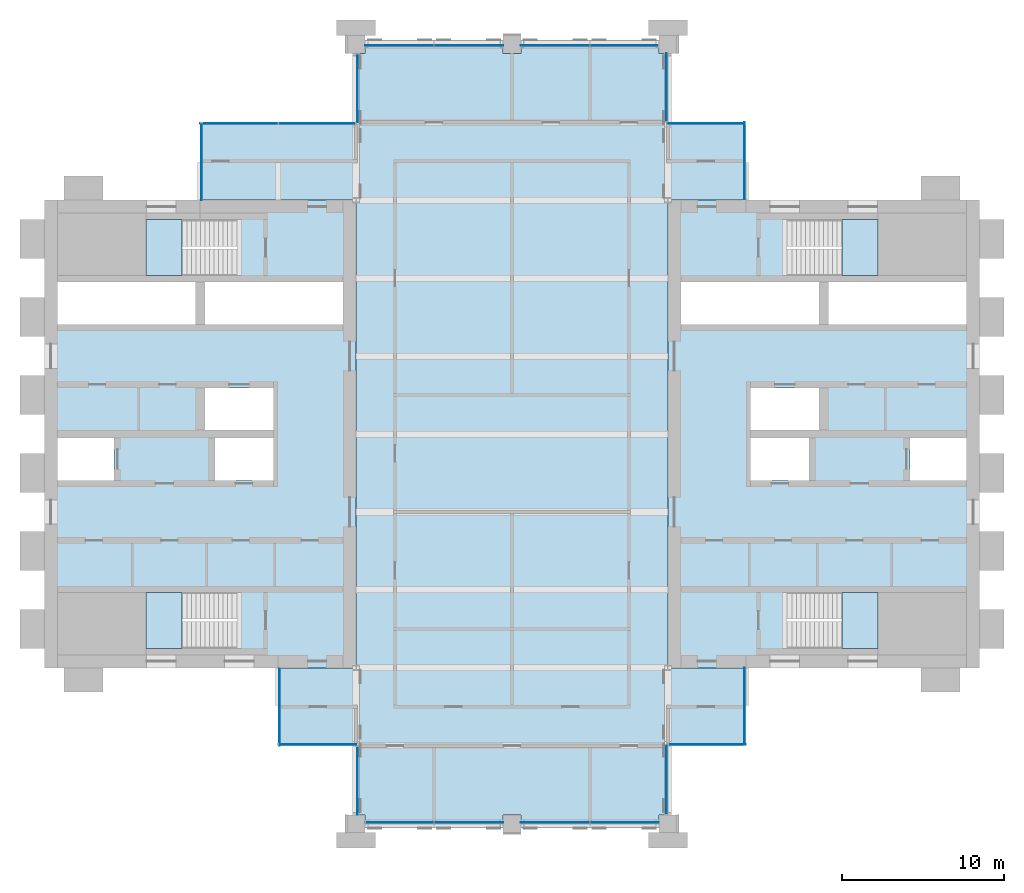
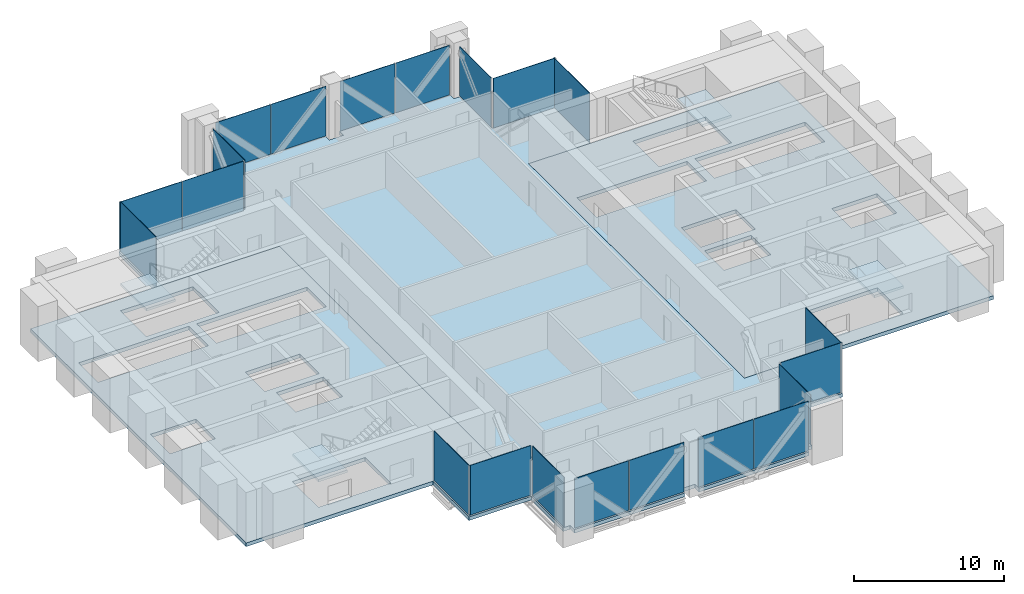
# One storey, part 7 of 13: 21 plates, 7 slabs, 18 elements without a shape of their own.
"""IFC4 building model written with IfcOpenShell, lengths in metres."""

from ifc_helpers import new_model, si_unit, direction, frame, origin, origin_2d, place, context, subcontext, project, spatial, polyline, rectangle, outline, extrude, material, layer, layer_set, type_object, element, aggregate, save


model = new_model("IFC4")

# Units and contexts
model_context = context("Model", 3, precision=1e-05, world=origin(), true_north=direction((0.0, 1.0)))
body_context = subcontext(model_context, "Body", "Model", "MODEL_VIEW")
ifc_project = project(units=[si_unit("LENGTHUNIT", "METRE"), si_unit("AREAUNIT", "SQUARE_METRE"), si_unit("VOLUMEUNIT", "CUBIC_METRE"), si_unit("PLANEANGLEUNIT", "RADIAN"), si_unit("MASSUNIT", "GRAM", prefix="KILO")], contexts=[model_context])

# Site, building, storey
site_placement = place(None, origin())
site = spatial("IfcSite", under=ifc_project, at=site_placement, CompositionType="ELEMENT")
building_placement = place(site_placement, origin())
building = spatial("IfcBuilding", under=site, at=building_placement, Name="Baori Bourse Tower", CompositionType="ELEMENT")
storey_placement = place(building_placement, frame((0.0, 0.0, 265.199951171875)))
storey = spatial("IfcBuildingStorey", under=building, at=storey_placement, Name="L59", CompositionType="ELEMENT", Elevation=265.199951171875)

# Curtain wall, plate
ifc_material_1 = material(Name="Pale anodised aluminium", Category="aluminium")
curtain_wall_type = type_object("IfcCurtainWallType", Name="CW3 Curtain wall", PredefinedType="NOTDEFINED", material=ifc_material_1)
curtain_wall_1_placement = place(storey_placement, origin())
curtain_wall_1 = element("IfcCurtainWall", 1, at=curtain_wall_1_placement, inside=storey, type_object=curtain_wall_type, Name="Curtain wall CW3 L59 1", PredefinedType="NOTDEFINED")
ifc_material_2 = material(Name="Pale anodised aluminium", Category="aluminium")
ifc_layer_1 = layer(ifc_material_2, 0.0400390625)
ifc_layer_set_1 = layer_set([ifc_layer_1], Name="CW3 Curtain wall panel")
plate_type = type_object("IfcPlateType", Name="CW3 Curtain wall panel", PredefinedType="CURTAIN_PANEL", material=ifc_layer_set_1)
plate_1_placement = place(storey_placement, frame((43.1201171875, 40.824951171875, 0.06005859375), z_axis=(0.0, 0.0, 1.0), x_axis=(0.0, 1.0, 0.0)))
plate_1 = element("IfcPlate", 2, at=plate_1_placement, type_object=plate_type, Name="Curtain wall CW3 louvre panel", PredefinedType="CURTAIN_PANEL", context=body_context, shape_type="SweptSolid", body=[
    extrude(rectangle(XDim=4.75, YDim=0.0400390625, at=origin_2d()), origin(), (0.0, 0.0, 1.0), 4.0400390625),
])
aggregate(curtain_wall_1, [plate_1])

curtain_wall_2_placement = place(storey_placement, origin())
curtain_wall_2 = element("IfcCurtainWall", 3, at=curtain_wall_2_placement, inside=storey, type_object=curtain_wall_type, Name="Curtain wall CW3 L59 2", PredefinedType="NOTDEFINED")
plate_2_placement = place(storey_placement, frame((40.77490234375, 43.1201171875, 0.06005859375), z_axis=(0.0, 0.0, 1.0), x_axis=(-1.0, 0.0, 0.0)))
plate_2 = element("IfcPlate", 4, at=plate_2_placement, type_object=plate_type, Name="Curtain wall CW3 louvre panel", PredefinedType="CURTAIN_PANEL", context=body_context, shape_type="SweptSolid", body=[
    extrude(rectangle(XDim=4.75, YDim=0.0400390625, at=origin_2d()), origin(), (0.0, 0.0, 1.0), 4.0400390625),
])
aggregate(curtain_wall_2, [plate_2])

curtain_wall_3_placement = place(storey_placement, origin())
curtain_wall_3 = element("IfcCurtainWall", 5, at=curtain_wall_3_placement, inside=storey, type_object=curtain_wall_type, Name="Curtain wall CW3 L59 3", PredefinedType="NOTDEFINED")
plate_3_placement = place(storey_placement, frame((38.320068359375, 45.35009765625, 0.06005859375), z_axis=(0.0, 0.0, 1.0), x_axis=(0.0, 1.0, 0.0)))
plate_3 = element("IfcPlate", 6, at=plate_3_placement, type_object=plate_type, Name="Curtain wall CW3 louvre panel", PredefinedType="CURTAIN_PANEL", context=body_context, shape_type="SweptSolid", body=[
    extrude(rectangle(XDim=4.199951171875, YDim=0.0400390625, at=origin_2d()), origin(), (0.0, 0.0, 1.0), 4.0400390625),
])
aggregate(curtain_wall_3, [plate_3])

# Curtain wall, plates
curtain_wall_4_placement = place(storey_placement, origin())
curtain_wall_4 = element("IfcCurtainWall", 7, at=curtain_wall_4_placement, inside=storey, type_object=curtain_wall_type, Name="Curtain wall CW3 L59 4", PredefinedType="NOTDEFINED")
plate_4_placement = place(storey_placement, frame((35.71240234375, 47.919921875, 0.06005859375), z_axis=(0.0, 0.0, 1.0), x_axis=(-1.0, 0.0, 0.0)))
plate_4 = element("IfcPlate", 8, at=plate_4_placement, type_object=plate_type, Name="Curtain wall CW3 louvre panel", PredefinedType="CURTAIN_PANEL", context=body_context, shape_type="SweptSolid", body=[
    extrude(rectangle(XDim=4.175048828125, YDim=0.0400390625, at=origin_2d()), origin(), (0.0, 0.0, 1.0), 4.0400390625),
])
plate_5_placement = place(storey_placement, frame((31.46240234375, 47.919921875, 0.06005859375), z_axis=(0.0, 0.0, 1.0), x_axis=(-1.0, 0.0, 0.0)))
plate_5 = element("IfcPlate", 9, at=plate_5_placement, type_object=plate_type, Name="Curtain wall CW3 louvre panel", PredefinedType="CURTAIN_PANEL", context=body_context, shape_type="SweptSolid", body=[
    extrude(rectangle(XDim=4.22509765625, YDim=0.0400390625, at=origin_2d()), origin(), (0.0, 0.0, 1.0), 4.0400390625),
])
plate_6_placement = place(storey_placement, frame((26.137451171875, 47.919921875, 0.06005859375), z_axis=(0.0, 0.0, 1.0), x_axis=(-1.0, 0.0, 0.0)))
plate_6 = element("IfcPlate", 10, at=plate_6_placement, type_object=plate_type, Name="Curtain wall CW3 louvre panel", PredefinedType="CURTAIN_PANEL", context=body_context, shape_type="SweptSolid", body=[
    extrude(rectangle(XDim=4.22509765625, YDim=0.0400390625, at=origin_2d()), origin(), (0.0, 0.0, 1.0), 4.0400390625),
])
plate_7_placement = place(storey_placement, frame((21.862548828125, 47.919921875, 0.06005859375), z_axis=(0.0, 0.0, 1.0), x_axis=(-1.0, 0.0, 0.0)))
plate_7 = element("IfcPlate", 11, at=plate_7_placement, type_object=plate_type, Name="Curtain wall CW3 louvre panel", PredefinedType="CURTAIN_PANEL", context=body_context, shape_type="SweptSolid", body=[
    extrude(rectangle(XDim=4.22509765625, YDim=0.0400390625, at=origin_2d()), origin(), (0.0, 0.0, 1.0), 4.0400390625),
])
aggregate(curtain_wall_4, [plate_4, plate_5, plate_6, plate_7])

# Curtain wall, plate
curtain_wall_5_placement = place(storey_placement, origin())
curtain_wall_5 = element("IfcCurtainWall", 12, at=curtain_wall_5_placement, inside=storey, type_object=curtain_wall_type, Name="Curtain wall CW3 L59 5", PredefinedType="NOTDEFINED")
plate_8_placement = place(storey_placement, frame((19.280029296875, 45.300048828125, 0.06005859375), z_axis=(0.0, 0.0, 1.0), x_axis=(0.0, -1.0, 0.0)))
plate_8 = element("IfcPlate", 13, at=plate_8_placement, type_object=plate_type, Name="Curtain wall CW3 louvre panel", PredefinedType="CURTAIN_PANEL", context=body_context, shape_type="SweptSolid", body=[
    extrude(rectangle(XDim=4.199951171875, YDim=0.0400390625, at=origin_2d()), origin(), (0.0, 0.0, 1.0), 4.0400390625),
])
aggregate(curtain_wall_5, [plate_8])

# Curtain wall, plates
curtain_wall_6_placement = place(storey_placement, origin())
curtain_wall_6 = element("IfcCurtainWall", 14, at=curtain_wall_6_placement, inside=storey, type_object=curtain_wall_type, Name="Curtain wall CW3 L59 6", PredefinedType="NOTDEFINED")
plate_9_placement = place(storey_placement, frame((16.78759765625, 43.1201171875, 0.06005859375), z_axis=(0.0, 0.0, 1.0), x_axis=(-1.0, 0.0, 0.0)))
plate_9 = element("IfcPlate", 15, at=plate_9_placement, type_object=plate_type, Name="Curtain wall CW3 louvre panel", PredefinedType="CURTAIN_PANEL", context=body_context, shape_type="SweptSolid", body=[
    extrude(rectangle(XDim=4.72509765625, YDim=0.0400390625, at=origin_2d()), origin(), (0.0, 0.0, 1.0), 4.0400390625),
])
plate_10_placement = place(storey_placement, frame((11.987548828125, 43.1201171875, 0.06005859375), z_axis=(0.0, 0.0, 1.0), x_axis=(-1.0, 0.0, 0.0)))
plate_10 = element("IfcPlate", 16, at=plate_10_placement, type_object=plate_type, Name="Curtain wall CW3 louvre panel", PredefinedType="CURTAIN_PANEL", context=body_context, shape_type="SweptSolid", body=[
    extrude(rectangle(XDim=4.77490234375, YDim=0.0400390625, at=origin_2d()), origin(), (0.0, 0.0, 1.0), 4.0400390625),
])
aggregate(curtain_wall_6, [plate_9, plate_10])

# Curtain wall, plate
curtain_wall_7_placement = place(storey_placement, origin())
curtain_wall_7 = element("IfcCurtainWall", 17, at=curtain_wall_7_placement, inside=storey, type_object=curtain_wall_type, Name="Curtain wall CW3 L59 7", PredefinedType="NOTDEFINED")
plate_11_placement = place(storey_placement, frame((9.679931640625, 40.77490234375, 0.06005859375), z_axis=(0.0, 0.0, 1.0), x_axis=(0.0, -1.0, 0.0)))
plate_11 = element("IfcPlate", 18, at=plate_11_placement, type_object=plate_type, Name="Curtain wall CW3 louvre panel", PredefinedType="CURTAIN_PANEL", context=body_context, shape_type="SweptSolid", body=[
    extrude(rectangle(XDim=4.75, YDim=0.0400390625, at=origin_2d()), origin(), (0.0, 0.0, 1.0), 4.0400390625),
])
aggregate(curtain_wall_7, [plate_11])

curtain_wall_8_placement = place(storey_placement, origin())
curtain_wall_8 = element("IfcCurtainWall", 19, at=curtain_wall_8_placement, inside=storey, type_object=curtain_wall_type, Name="Curtain wall CW3 L59 8", PredefinedType="NOTDEFINED")
plate_12_placement = place(storey_placement, frame((14.47998046875, 7.175048828125, 0.06005859375), z_axis=(0.0, 0.0, 1.0), x_axis=(0.0, -1.0, 0.0)))
plate_12 = element("IfcPlate", 20, at=plate_12_placement, type_object=plate_type, Name="Curtain wall CW3 louvre panel", PredefinedType="CURTAIN_PANEL", context=body_context, shape_type="SweptSolid", body=[
    extrude(rectangle(XDim=4.75, YDim=0.0400390625, at=origin_2d()), origin(), (0.0, 0.0, 1.0), 4.0400390625),
])
aggregate(curtain_wall_8, [plate_12])

curtain_wall_9_placement = place(storey_placement, origin())
curtain_wall_9 = element("IfcCurtainWall", 21, at=curtain_wall_9_placement, inside=storey, type_object=curtain_wall_type, Name="Curtain wall CW3 L59 9", PredefinedType="NOTDEFINED")
plate_13_placement = place(storey_placement, frame((16.824951171875, 4.8798828125, 0.06005859375), z_axis=(0.0, 0.0, 1.0), x_axis=(1.0, 0.0, 0.0)))
plate_13 = element("IfcPlate", 22, at=plate_13_placement, type_object=plate_type, Name="Curtain wall CW3 louvre panel", PredefinedType="CURTAIN_PANEL", context=body_context, shape_type="SweptSolid", body=[
    extrude(rectangle(XDim=4.75, YDim=0.0400390625, at=origin_2d()), origin(), (0.0, 0.0, 1.0), 4.0400390625),
])
aggregate(curtain_wall_9, [plate_13])

curtain_wall_10_placement = place(storey_placement, origin())
curtain_wall_10 = element("IfcCurtainWall", 23, at=curtain_wall_10_placement, inside=storey, type_object=curtain_wall_type, Name="Curtain wall CW3 L59 10", PredefinedType="NOTDEFINED")
plate_14_placement = place(storey_placement, frame((19.280029296875, 2.64990234375, 0.06005859375), z_axis=(0.0, 0.0, 1.0), x_axis=(0.0, -1.0, 0.0)))
plate_14 = element("IfcPlate", 24, at=plate_14_placement, type_object=plate_type, Name="Curtain wall CW3 louvre panel", PredefinedType="CURTAIN_PANEL", context=body_context, shape_type="SweptSolid", body=[
    extrude(rectangle(XDim=4.199951171875, YDim=0.0400390625, at=origin_2d()), origin(), (0.0, 0.0, 1.0), 4.0400390625),
])
aggregate(curtain_wall_10, [plate_14])

# Curtain wall, plates
curtain_wall_11_placement = place(storey_placement, origin())
curtain_wall_11 = element("IfcCurtainWall", 25, at=curtain_wall_11_placement, inside=storey, type_object=curtain_wall_type, Name="Curtain wall CW3 L59 11", PredefinedType="NOTDEFINED")
plate_15_placement = place(storey_placement, frame((21.887451171875, 0.080078125, 0.06005859375), z_axis=(0.0, 0.0, 1.0), x_axis=(1.0, 0.0, 0.0)))
plate_15 = element("IfcPlate", 26, at=plate_15_placement, type_object=plate_type, Name="Curtain wall CW3 louvre panel", PredefinedType="CURTAIN_PANEL", context=body_context, shape_type="SweptSolid", body=[
    extrude(rectangle(XDim=4.175048828125, YDim=0.0400390625, at=origin_2d()), origin(), (0.0, 0.0, 1.0), 4.0400390625),
])
plate_16_placement = place(storey_placement, frame((26.137451171875, 0.080078125, 0.06005859375), z_axis=(0.0, 0.0, 1.0), x_axis=(1.0, 0.0, 0.0)))
plate_16 = element("IfcPlate", 27, at=plate_16_placement, type_object=plate_type, Name="Curtain wall CW3 louvre panel", PredefinedType="CURTAIN_PANEL", context=body_context, shape_type="SweptSolid", body=[
    extrude(rectangle(XDim=4.22509765625, YDim=0.0400390625, at=origin_2d()), origin(), (0.0, 0.0, 1.0), 4.0400390625),
])
plate_17_placement = place(storey_placement, frame((31.46240234375, 0.080078125, 0.06005859375), z_axis=(0.0, 0.0, 1.0), x_axis=(1.0, 0.0, 0.0)))
plate_17 = element("IfcPlate", 28, at=plate_17_placement, type_object=plate_type, Name="Curtain wall CW3 louvre panel", PredefinedType="CURTAIN_PANEL", context=body_context, shape_type="SweptSolid", body=[
    extrude(rectangle(XDim=4.22509765625, YDim=0.0400390625, at=origin_2d()), origin(), (0.0, 0.0, 1.0), 4.0400390625),
])
plate_18_placement = place(storey_placement, frame((35.737548828125, 0.080078125, 0.06005859375), z_axis=(0.0, 0.0, 1.0), x_axis=(1.0, 0.0, 0.0)))
plate_18 = element("IfcPlate", 29, at=plate_18_placement, type_object=plate_type, Name="Curtain wall CW3 louvre panel", PredefinedType="CURTAIN_PANEL", context=body_context, shape_type="SweptSolid", body=[
    extrude(rectangle(XDim=4.22509765625, YDim=0.0400390625, at=origin_2d()), origin(), (0.0, 0.0, 1.0), 4.0400390625),
])
aggregate(curtain_wall_11, [plate_15, plate_16, plate_17, plate_18])

# Curtain wall, plate
curtain_wall_12_placement = place(storey_placement, origin())
curtain_wall_12 = element("IfcCurtainWall", 30, at=curtain_wall_12_placement, inside=storey, type_object=curtain_wall_type, Name="Curtain wall CW3 L59 12", PredefinedType="NOTDEFINED")
plate_19_placement = place(storey_placement, frame((38.320068359375, 2.699951171875, 0.06005859375), z_axis=(0.0, 0.0, 1.0), x_axis=(0.0, 1.0, 0.0)))
plate_19 = element("IfcPlate", 31, at=plate_19_placement, type_object=plate_type, Name="Curtain wall CW3 louvre panel", PredefinedType="CURTAIN_PANEL", context=body_context, shape_type="SweptSolid", body=[
    extrude(rectangle(XDim=4.199951171875, YDim=0.0400390625, at=origin_2d()), origin(), (0.0, 0.0, 1.0), 4.0400390625),
])
aggregate(curtain_wall_12, [plate_19])

curtain_wall_13_placement = place(storey_placement, origin())
curtain_wall_13 = element("IfcCurtainWall", 32, at=curtain_wall_13_placement, inside=storey, type_object=curtain_wall_type, Name="Curtain wall CW3 L59 13", PredefinedType="NOTDEFINED")
plate_20_placement = place(storey_placement, frame((40.824951171875, 4.8798828125, 0.06005859375), z_axis=(0.0, 0.0, 1.0), x_axis=(1.0, 0.0, 0.0)))
plate_20 = element("IfcPlate", 33, at=plate_20_placement, type_object=plate_type, Name="Curtain wall CW3 louvre panel", PredefinedType="CURTAIN_PANEL", context=body_context, shape_type="SweptSolid", body=[
    extrude(rectangle(XDim=4.75, YDim=0.0400390625, at=origin_2d()), origin(), (0.0, 0.0, 1.0), 4.0400390625),
])
aggregate(curtain_wall_13, [plate_20])

curtain_wall_14_placement = place(storey_placement, origin())
curtain_wall_14 = element("IfcCurtainWall", 34, at=curtain_wall_14_placement, inside=storey, type_object=curtain_wall_type, Name="Curtain wall CW3 L59 14", PredefinedType="NOTDEFINED")
plate_21_placement = place(storey_placement, frame((43.1201171875, 7.22509765625, 0.06005859375), z_axis=(0.0, 0.0, 1.0), x_axis=(0.0, 1.0, 0.0)))
plate_21 = element("IfcPlate", 35, at=plate_21_placement, type_object=plate_type, Name="Curtain wall CW3 louvre panel", PredefinedType="CURTAIN_PANEL", context=body_context, shape_type="SweptSolid", body=[
    extrude(rectangle(XDim=4.75, YDim=0.0400390625, at=origin_2d()), origin(), (0.0, 0.0, 1.0), 4.0400390625),
])
aggregate(curtain_wall_14, [plate_21])

# Slabs
ifc_material_3 = material(Name="Concrete f'c 50 MPa", Category="concrete")
ifc_layer_2 = layer(ifc_material_3, 0.300048828125)
ifc_layer_set_2 = layer_set([ifc_layer_2], Name="Core slab 300")
slab_type_1 = type_object("IfcSlabType", Name="Core slab 300", PredefinedType="FLOOR", material=ifc_layer_set_2)
slab_1_placement = place(storey_placement, frame((0.0, 0.0, -0.300048828125)))
element("IfcSlab", 36, at=slab_1_placement, inside=storey, type_object=slab_type_1, Name="Core floor slab W01", PredefinedType="FLOOR", context=body_context, shape_type="SweptSolid", body=[
    extrude(outline(polyline([(19.199951171875, 38.39990234375), (0.0, 38.39990234375), (0.0, 9.60009765625), (19.199951171875, 9.60009765625), (19.199951171875, 38.39990234375)]), holes=[polyline([(9.89990234375, 33.35009765625), (18.39990234375, 33.35009765625), (18.39990234375, 30.75), (9.89990234375, 30.75), (9.89990234375, 33.35009765625)]), polyline([(10.5, 21.14990234375), (10.5, 23.75), (14.10009765625, 23.75), (14.10009765625, 21.14990234375), (10.5, 21.14990234375)]), polyline([(14.10009765625, 24.25), (9.89990234375, 24.25), (9.89990234375, 26.85009765625), (14.10009765625, 26.85009765625), (14.10009765625, 24.25)]), polyline([(6.25, 14.25), (11.84912109375, 14.25), (11.84912109375, 10.800048828125), (6.25, 10.800048828125), (6.25, 14.25)]), polyline([(11.84912109375, 37.199951171875), (11.84912109375, 33.75), (6.25, 33.75), (6.25, 37.199951171875), (11.84912109375, 37.199951171875)]), polyline([(0.800048828125, 30.75), (0.800048828125, 33.35009765625), (9.300048828125, 33.35009765625), (9.300048828125, 30.75), (0.800048828125, 30.75)]), polyline([(4.300048828125, 23.75), (4.300048828125, 21.14990234375), (0.800048828125, 21.14990234375), (0.800048828125, 23.75), (4.300048828125, 23.75)])]), origin(), (0.0, 0.0, 1.0), 0.300048828125),
])
slab_2_placement = place(storey_placement, frame((0.0, 0.0, -0.300048828125)))
element("IfcSlab", 37, at=slab_2_placement, inside=storey, type_object=slab_type_1, Name="Core floor slab E01", PredefinedType="FLOOR", context=body_context, shape_type="SweptSolid", body=[
    extrude(outline(polyline([(57.60009765625, 9.60009765625), (57.60009765625, 38.39990234375), (38.39990234375, 38.39990234375), (38.39990234375, 9.60009765625), (57.60009765625, 9.60009765625)]), holes=[polyline([(48.300048828125, 33.35009765625), (56.800048828125, 33.35009765625), (56.800048828125, 30.75), (48.300048828125, 30.75), (48.300048828125, 33.35009765625)]), polyline([(56.800048828125, 21.14990234375), (53.300048828125, 21.14990234375), (53.300048828125, 23.75), (56.800048828125, 23.75), (56.800048828125, 21.14990234375)]), polyline([(45.750732421875, 14.25), (51.35009765625, 14.25), (51.35009765625, 10.800048828125), (45.750732421875, 10.800048828125), (45.750732421875, 14.25)]), polyline([(51.35009765625, 37.199951171875), (51.35009765625, 33.75), (45.750732421875, 33.75), (45.750732421875, 37.199951171875), (51.35009765625, 37.199951171875)]), polyline([(43.5, 24.25), (43.5, 26.85009765625), (47.699951171875, 26.85009765625), (47.699951171875, 24.25), (43.5, 24.25)]), polyline([(47.699951171875, 33.35009765625), (47.699951171875, 30.75), (39.199951171875, 30.75), (39.199951171875, 33.35009765625), (47.699951171875, 33.35009765625)]), polyline([(43.5, 23.75), (47.10009765625, 23.75), (47.10009765625, 21.14990234375), (43.5, 21.14990234375), (43.5, 23.75)])]), origin(), (0.0, 0.0, 1.0), 0.300048828125),
])

# Stair, slab
ifc_material_4 = material(Name="Concrete f'c 50 MPa", Category="concrete")
stair_type = type_object("IfcStairType", Name="Core stair", PredefinedType="HALF_TURN_STAIR", material=ifc_material_4)
stair_1_placement = place(storey_placement, origin())
stair_1 = element("IfcStair", 38, at=stair_1_placement, inside=storey, type_object=stair_type, Name="L59 Stair WA", PredefinedType="HALF_TURN_STAIR")
ifc_material_5 = material(Name="Concrete f'c 50 MPa", Category="concrete")
slab_type_2 = type_object("IfcSlabType", Name="Core stair landing", PredefinedType="LANDING", material=ifc_material_5)
slab_3_placement = place(storey_placement, frame((0.0, 0.0, 2.050048828125)))
slab_3 = element("IfcSlab", 39, at=slab_3_placement, type_object=slab_type_2, Name="ST1 landing 1", PredefinedType="LANDING", context=body_context, shape_type="SweptSolid", body=[
    extrude(outline(polyline([(8.489990234375, 14.25), (6.25, 14.25), (6.25, 10.800048828125), (8.489990234375, 10.800048828125), (8.489990234375, 14.25)])), origin(), (0.0, 0.0, 1.0), 0.199951171875),
])
aggregate(stair_1, [slab_3])

stair_2_placement = place(storey_placement, origin())
stair_2 = element("IfcStair", 40, at=stair_2_placement, inside=storey, type_object=stair_type, Name="L59 Stair WB", PredefinedType="HALF_TURN_STAIR")
slab_4_placement = place(storey_placement, frame((0.0, 0.0, 2.050048828125)))
slab_4 = element("IfcSlab", 41, at=slab_4_placement, type_object=slab_type_2, Name="ST2 landing 1", PredefinedType="LANDING", context=body_context, shape_type="SweptSolid", body=[
    extrude(outline(polyline([(8.489990234375, 37.199951171875), (6.25, 37.199951171875), (6.25, 33.75), (8.489990234375, 33.75), (8.489990234375, 37.199951171875)])), origin(), (0.0, 0.0, 1.0), 0.199951171875),
])
aggregate(stair_2, [slab_4])

stair_3_placement = place(storey_placement, origin())
stair_3 = element("IfcStair", 42, at=stair_3_placement, inside=storey, type_object=stair_type, Name="L59 Stair EA", PredefinedType="HALF_TURN_STAIR")
slab_5_placement = place(storey_placement, frame((0.0, 0.0, 2.050048828125)))
slab_5 = element("IfcSlab", 43, at=slab_5_placement, type_object=slab_type_2, Name="ST3 landing 1", PredefinedType="LANDING", context=body_context, shape_type="SweptSolid", body=[
    extrude(outline(polyline([(49.110107421875, 10.800048828125), (51.35009765625, 10.800048828125), (51.35009765625, 14.25), (49.110107421875, 14.25), (49.110107421875, 10.800048828125)])), origin(), (0.0, 0.0, 1.0), 0.199951171875),
])
aggregate(stair_3, [slab_5])

stair_4_placement = place(storey_placement, origin())
stair_4 = element("IfcStair", 44, at=stair_4_placement, inside=storey, type_object=stair_type, Name="L59 Stair EB", PredefinedType="HALF_TURN_STAIR")
slab_6_placement = place(storey_placement, frame((0.0, 0.0, 2.050048828125)))
slab_6 = element("IfcSlab", 45, at=slab_6_placement, type_object=slab_type_2, Name="ST4 landing 1", PredefinedType="LANDING", context=body_context, shape_type="SweptSolid", body=[
    extrude(outline(polyline([(49.110107421875, 33.75), (51.35009765625, 33.75), (51.35009765625, 37.199951171875), (49.110107421875, 37.199951171875), (49.110107421875, 33.75)])), origin(), (0.0, 0.0, 1.0), 0.199951171875),
])
aggregate(stair_4, [slab_6])

# Slab
ifc_material_6 = material(Name="Concrete f'c 40 MPa", Category="concrete")
ifc_layer_3 = layer(ifc_material_6, 0.300048828125)
ifc_layer_set_3 = layer_set([ifc_layer_3], Name="Floor slab 300")
slab_type_3 = type_object("IfcSlabType", Name="Floor slab 300", PredefinedType="FLOOR", material=ifc_layer_set_3)
slab_7_placement = place(storey_placement, frame((0.0, 0.0, -0.300048828125)))
element("IfcSlab", 46, at=slab_7_placement, inside=storey, type_object=slab_type_3, Name="Floor slab L59", PredefinedType="FLOOR", context=body_context, shape_type="SweptSolid", body=[
    extrude(outline(polyline([(19.199951171875, 4.800048828125), (14.39990234375, 4.800048828125), (14.39990234375, 9.60009765625), (19.199951171875, 9.60009765625), (19.199951171875, 38.39990234375), (9.60009765625, 38.39990234375), (9.60009765625, 43.199951171875), (19.199951171875, 43.199951171875), (19.199951171875, 47.449951171875), (19.75, 47.449951171875), (19.75, 48.0), (28.25, 48.0), (28.25, 47.449951171875), (29.35009765625, 47.449951171875), (29.35009765625, 48.0), (37.85009765625, 48.0), (37.85009765625, 47.449951171875), (38.39990234375, 47.449951171875), (38.39990234375, 43.199951171875), (43.199951171875, 43.199951171875), (43.199951171875, 38.39990234375), (38.39990234375, 38.39990234375), (38.39990234375, 9.60009765625), (43.199951171875, 9.60009765625), (43.199951171875, 4.800048828125), (38.39990234375, 4.800048828125), (38.39990234375, 0.550048828125), (37.85009765625, 0.550048828125), (37.85009765625, 0.0), (29.35009765625, 0.0), (29.35009765625, 0.550048828125), (28.25, 0.550048828125), (28.25, 0.0), (19.75, 0.0), (19.75, 0.550048828125), (19.199951171875, 0.550048828125), (19.199951171875, 4.800048828125)])), origin(), (0.0, 0.0, 1.0), 0.300048828125),
])

save(model, "model.ifc")
